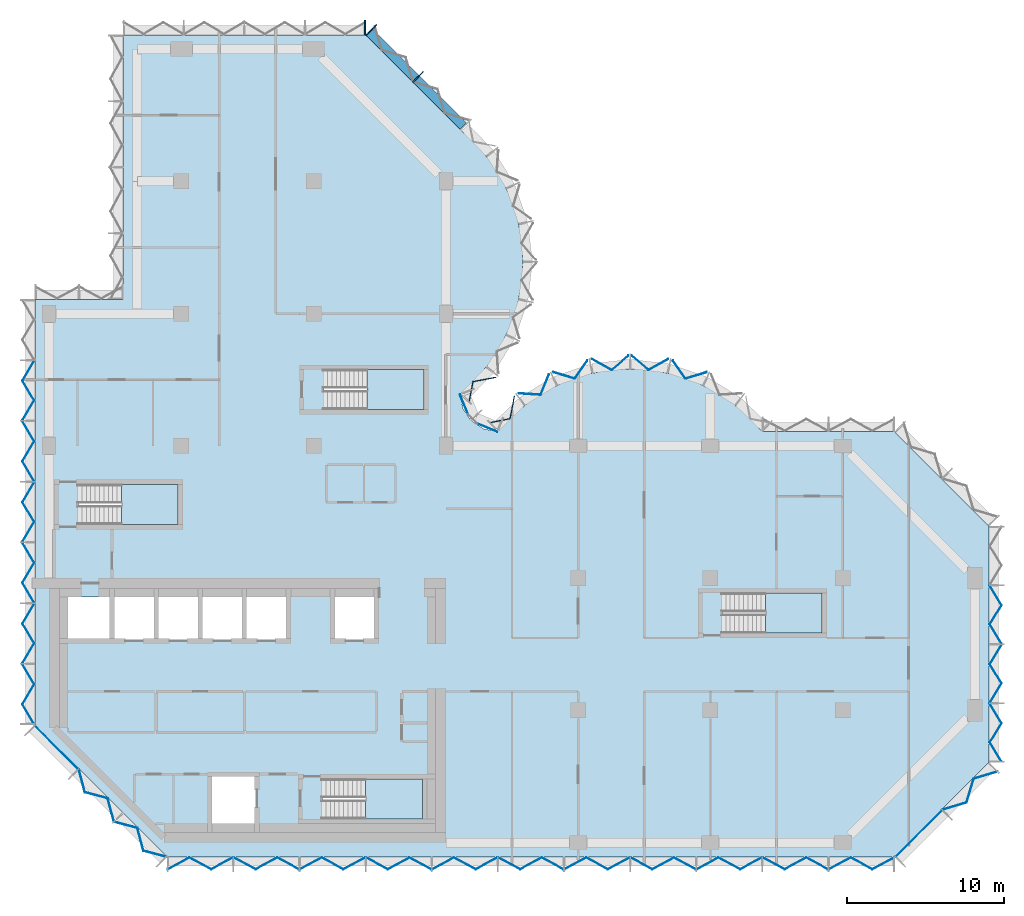
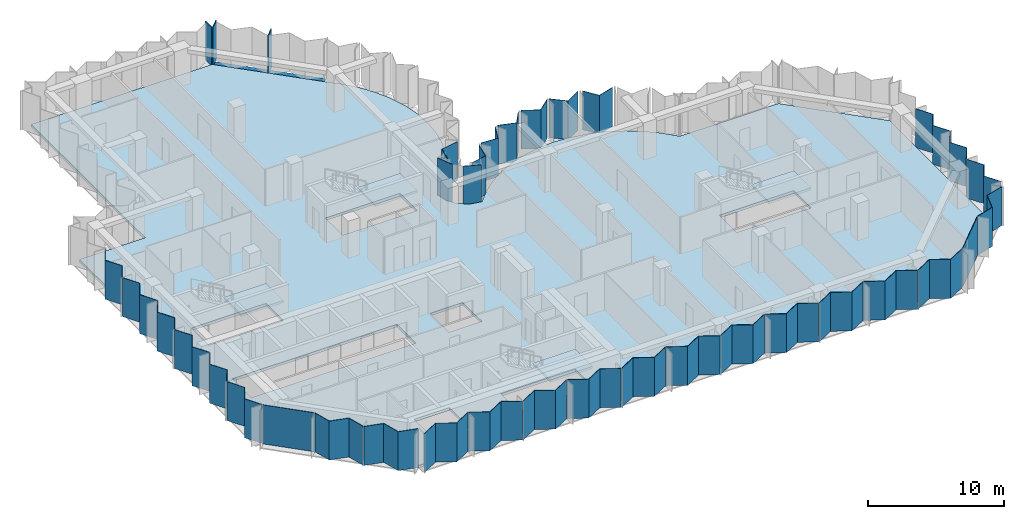
# One storey, part 3 of 10: 34 plates, 5 slabs, 4 members, 14 elements without a shape of their own.
"""IFC4 building model written with IfcOpenShell, lengths in metres."""

from ifc_helpers import new_model, si_unit, direction, frame, origin, origin_2d, place, context, subcontext, project, spatial, polyline, rectangle, outline, extrude, material, layer, layer_set, material_profile, profile_set, type_object, element, aggregate, save


model = new_model("IFC4")

# Units and contexts
model_context = context("Model", 3, precision=1e-05, world=origin(), true_north=direction((0.0, 1.0)))
body_context = subcontext(model_context, "Body", "Model", "MODEL_VIEW")
ifc_project = project(units=[si_unit("LENGTHUNIT", "METRE"), si_unit("AREAUNIT", "SQUARE_METRE"), si_unit("VOLUMEUNIT", "CUBIC_METRE"), si_unit("PLANEANGLEUNIT", "RADIAN"), si_unit("MASSUNIT", "GRAM", prefix="KILO")], contexts=[model_context])

# Site, building, storey
site_placement = place(None, origin())
site = spatial("IfcSite", under=ifc_project, at=site_placement, CompositionType="ELEMENT")
building_placement = place(site_placement, origin())
building = spatial("IfcBuilding", under=site, at=building_placement, Name="Brevane Broadcast Tower", CompositionType="ELEMENT")
storey_placement = place(building_placement, frame((0.0, 0.0, 170.39990234375)))
storey = spatial("IfcBuildingStorey", under=building, at=storey_placement, Name="L42", CompositionType="ELEMENT", Elevation=170.39990234375)

# Curtain wall, members
ifc_material_1 = material(Name="Aluminium 6063-T6 bronze anodised", Category="aluminium")
curtain_wall_type = type_object("IfcCurtainWallType", Name="CW-1 curtain wall", PredefinedType="NOTDEFINED", material=ifc_material_1)
curtain_wall_1_placement = place(storey_placement, origin())
curtain_wall_1 = element("IfcCurtainWall", 1, at=curtain_wall_1_placement, inside=storey, type_object=curtain_wall_type, Name="CW-1 typical tilted unit L42 north arm north-east chamfer", PredefinedType="NOTDEFINED")
ifc_material_profile_1 = material_profile(ifc_material_1, rectangle(XDim=0.949951171875, YDim=0.070068359375, at=origin_2d()), Name="RECT 70x950")
ifc_profile_set_1 = profile_set([ifc_material_profile_1], Name="Aluminium 6063-T6 bronze anodised")
member_type_1 = type_object("IfcMemberType", Name="CW-1 mullion 70x950", PredefinedType="MULLION", material=ifc_profile_set_1)
member_1_placement = place(storey_placement, frame((23.435791015625, 48.635986328125, -0.14990234375), z_axis=(0.0, 0.0, 1.0), x_axis=(-0.707106781187, -0.707106781187, 0.0)))
member_1 = element("IfcMember", 2, at=member_1_placement, type_object=member_type_1, Name="CW-1 mullion", PredefinedType="MULLION", context=body_context, shape_type="SweptSolid", body=[
    extrude(rectangle(XDim=0.949951171875, YDim=0.070068359375, at=origin_2d()), origin(), (0.0, 0.0, 1.0), 3.5),
])
member_2_placement = place(storey_placement, frame((20.460693359375, 51.611083984375, -0.14990234375), z_axis=(0.0, 0.0, 1.0), x_axis=(-0.707106781187, -0.707106781187, 0.0)))
member_2 = element("IfcMember", 3, at=member_2_placement, type_object=member_type_1, Name="CW-1 mullion", PredefinedType="MULLION", context=body_context, shape_type="SweptSolid", body=[
    extrude(rectangle(XDim=0.949951171875, YDim=0.070068359375, at=origin_2d()), origin(), (0.0, 0.0, 1.0), 3.5),
])

# Curtain wall, member
curtain_wall_2_placement = place(storey_placement, origin())
curtain_wall_2 = element("IfcCurtainWall", 4, at=curtain_wall_2_placement, inside=storey, type_object=curtain_wall_type, Name="CW-1 typical tilted unit L42 north end", PredefinedType="NOTDEFINED")
member_3_placement = place(storey_placement, frame((20.06494140625, 51.77490234375, -0.14990234375), z_axis=(0.0, 0.0, 1.0), x_axis=(0.0, -1.0, 0.0)))
member_3 = element("IfcMember", 5, at=member_3_placement, type_object=member_type_1, Name="CW-1 mullion", PredefinedType="MULLION", context=body_context, shape_type="SweptSolid", body=[
    extrude(rectangle(XDim=0.949951171875, YDim=0.070068359375, at=origin_2d()), origin(), (0.0, 0.0, 1.0), 3.5),
])
aggregate(curtain_wall_2, [member_3])

# Member
ifc_material_profile_2 = material_profile(ifc_material_1, rectangle(XDim=0.60009765625, YDim=0.10009765625, at=origin_2d()), Name="RECT 100x600")
ifc_profile_set_2 = profile_set([ifc_material_profile_2], Name="Aluminium 6063-T6 bronze anodised")
member_type_2 = type_object("IfcMemberType", Name="CW-1 transom 100x600", PredefinedType="USERDEFINED", material=ifc_profile_set_2)
member_4_placement = place(storey_placement, frame((26.31201171875, 45.51220703125, -0.199951171875), z_axis=(-0.707106781187, 0.707106781187, 0.0), x_axis=(-0.707106781187, -0.707106781187, 0.0)))
member_4 = element("IfcMember", 6, at=member_4_placement, type_object=member_type_2, Name="CW-1 transom", ObjectType="TRANSOM", PredefinedType="USERDEFINED", context=body_context, shape_type="SweptSolid", body=[
    extrude(rectangle(XDim=0.60009765625, YDim=0.10009765625, at=origin_2d()), origin(), (0.0, 0.0, 1.0), 8.4853515625),
])

aggregate(curtain_wall_1, [member_1, member_2, member_4])

# Curtain wall, plates
curtain_wall_3_placement = place(storey_placement, origin())
curtain_wall_3 = element("IfcCurtainWall", 7, at=curtain_wall_3_placement, inside=storey, type_object=curtain_wall_type, Name="CW-1 typical tilted unit L42 south face", PredefinedType="NOTDEFINED")
ifc_material_2 = material(Name="Laminated glass bronze-tinted", Category="glass")
ifc_layer_1 = layer(ifc_material_2, 0.0400390625)
ifc_layer_set_1 = layer_set([ifc_layer_1], Name="CW tall glass panel 40")
plate_type = type_object("IfcPlateType", Name="CW tall glass panel 40", PredefinedType="CURTAIN_PANEL", material=ifc_layer_set_1)
plate_1_placement = place(storey_placement, frame((0.0, 0.0, -0.14990234375)))
plate_1 = element("IfcPlate", 8, at=plate_1_placement, type_object=plate_type, Name="CW-1 glass panel", PredefinedType="CURTAIN_PANEL", context=body_context, shape_type="SweptSolid", body=[
    extrude(outline(polyline([(7.534912109375, -1.671630859375), (7.534912109375, -1.717041015625), (8.91162109375, -0.97265625), (10.288330078125, -1.717041015625), (11.6650390625, -0.97265625), (11.6650390625, -0.92724609375), (10.288330078125, -1.671630859375), (8.91162109375, -0.92724609375), (7.534912109375, -1.671630859375)])), origin(), (0.0, 0.0, 1.0), 3.5),
])
plate_2_placement = place(storey_placement, frame((0.0, 0.0, -0.14990234375)))
plate_2 = element("IfcPlate", 9, at=plate_2_placement, type_object=plate_type, Name="CW-1 glass panel", PredefinedType="CURTAIN_PANEL", context=body_context, shape_type="SweptSolid", body=[
    extrude(outline(polyline([(11.735107421875, -0.92724609375), (11.735107421875, -0.97265625), (13.11181640625, -1.717041015625), (14.48828125, -0.97265625), (15.864990234375, -1.717041015625), (15.864990234375, -1.671630859375), (14.48828125, -0.92724609375), (13.11181640625, -1.671630859375), (11.735107421875, -0.92724609375)])), origin(), (0.0, 0.0, 1.0), 3.5),
])
plate_3_placement = place(storey_placement, frame((0.0, 0.0, -0.14990234375)))
plate_3 = element("IfcPlate", 10, at=plate_3_placement, type_object=plate_type, Name="CW-1 glass panel", PredefinedType="CURTAIN_PANEL", context=body_context, shape_type="SweptSolid", body=[
    extrude(outline(polyline([(15.93505859375, -1.671630859375), (15.93505859375, -1.717041015625), (17.311767578125, -0.97265625), (18.688232421875, -1.717041015625), (20.06494140625, -0.97265625), (20.06494140625, -0.92724609375), (18.688232421875, -1.671630859375), (17.311767578125, -0.92724609375), (15.93505859375, -1.671630859375)])), origin(), (0.0, 0.0, 1.0), 3.5),
])
plate_4_placement = place(storey_placement, frame((0.0, 0.0, -0.14990234375)))
plate_4 = element("IfcPlate", 11, at=plate_4_placement, type_object=plate_type, Name="CW-1 glass panel", PredefinedType="CURTAIN_PANEL", context=body_context, shape_type="SweptSolid", body=[
    extrude(outline(polyline([(20.135009765625, -0.92724609375), (20.135009765625, -0.97265625), (21.51171875, -1.717041015625), (22.88818359375, -0.97265625), (24.264892578125, -1.717041015625), (24.264892578125, -1.671630859375), (22.88818359375, -0.92724609375), (21.51171875, -1.671630859375), (20.135009765625, -0.92724609375)])), origin(), (0.0, 0.0, 1.0), 3.5),
])
plate_5_placement = place(storey_placement, frame((0.0, 0.0, -0.14990234375)))
plate_5 = element("IfcPlate", 12, at=plate_5_placement, type_object=plate_type, Name="CW-1 glass panel", PredefinedType="CURTAIN_PANEL", context=body_context, shape_type="SweptSolid", body=[
    extrude(outline(polyline([(24.3349609375, -1.671630859375), (24.3349609375, -1.717041015625), (25.711669921875, -0.97265625), (27.08837890625, -1.717041015625), (28.465087890625, -0.97265625), (28.465087890625, -0.92724609375), (27.08837890625, -1.671630859375), (25.711669921875, -0.92724609375), (24.3349609375, -1.671630859375)])), origin(), (0.0, 0.0, 1.0), 3.5),
])
plate_6_placement = place(storey_placement, frame((0.0, 0.0, -0.14990234375)))
plate_6 = element("IfcPlate", 13, at=plate_6_placement, type_object=plate_type, Name="CW-1 glass panel", PredefinedType="CURTAIN_PANEL", context=body_context, shape_type="SweptSolid", body=[
    extrude(outline(polyline([(28.534912109375, -0.92724609375), (28.534912109375, -0.97265625), (29.91162109375, -1.717041015625), (31.288330078125, -0.97265625), (32.6650390625, -1.717041015625), (32.6650390625, -1.671630859375), (31.288330078125, -0.92724609375), (29.91162109375, -1.671630859375), (28.534912109375, -0.92724609375)])), origin(), (0.0, 0.0, 1.0), 3.5),
])
plate_7_placement = place(storey_placement, frame((0.0, 0.0, -0.14990234375)))
plate_7 = element("IfcPlate", 14, at=plate_7_placement, type_object=plate_type, Name="CW-1 glass panel", PredefinedType="CURTAIN_PANEL", context=body_context, shape_type="SweptSolid", body=[
    extrude(outline(polyline([(32.735107421875, -1.671630859375), (32.735107421875, -1.717041015625), (34.11181640625, -0.97265625), (35.48828125, -1.717041015625), (36.864990234375, -0.97265625), (36.864990234375, -0.92724609375), (35.48828125, -1.671630859375), (34.11181640625, -0.92724609375), (32.735107421875, -1.671630859375)])), origin(), (0.0, 0.0, 1.0), 3.5),
])
plate_8_placement = place(storey_placement, frame((0.0, 0.0, -0.14990234375)))
plate_8 = element("IfcPlate", 15, at=plate_8_placement, type_object=plate_type, Name="CW-1 glass panel", PredefinedType="CURTAIN_PANEL", context=body_context, shape_type="SweptSolid", body=[
    extrude(outline(polyline([(36.93505859375, -0.92724609375), (36.93505859375, -0.97265625), (38.311767578125, -1.717041015625), (39.688232421875, -0.97265625), (41.06494140625, -1.717041015625), (41.06494140625, -1.671630859375), (39.688232421875, -0.92724609375), (38.311767578125, -1.671630859375), (36.93505859375, -0.92724609375)])), origin(), (0.0, 0.0, 1.0), 3.5),
])
plate_9_placement = place(storey_placement, frame((0.0, 0.0, -0.14990234375)))
plate_9 = element("IfcPlate", 16, at=plate_9_placement, type_object=plate_type, Name="CW-1 glass panel", PredefinedType="CURTAIN_PANEL", context=body_context, shape_type="SweptSolid", body=[
    extrude(outline(polyline([(41.135009765625, -1.671630859375), (41.135009765625, -1.717041015625), (42.51171875, -0.97265625), (43.88818359375, -1.717041015625), (45.264892578125, -0.97265625), (45.264892578125, -0.92724609375), (43.88818359375, -1.671630859375), (42.51171875, -0.92724609375), (41.135009765625, -1.671630859375)])), origin(), (0.0, 0.0, 1.0), 3.5),
])
plate_10_placement = place(storey_placement, frame((0.0, 0.0, -0.14990234375)))
plate_10 = element("IfcPlate", 17, at=plate_10_placement, type_object=plate_type, Name="CW-1 glass panel", PredefinedType="CURTAIN_PANEL", context=body_context, shape_type="SweptSolid", body=[
    extrude(outline(polyline([(45.3349609375, -0.92724609375), (45.3349609375, -0.97265625), (46.711669921875, -1.717041015625), (48.08837890625, -0.97265625), (49.465087890625, -1.717041015625), (49.465087890625, -1.671630859375), (48.08837890625, -0.92724609375), (46.711669921875, -1.671630859375), (45.3349609375, -0.92724609375)])), origin(), (0.0, 0.0, 1.0), 3.5),
])
plate_11_placement = place(storey_placement, frame((0.0, 0.0, -0.14990234375)))
plate_11 = element("IfcPlate", 18, at=plate_11_placement, type_object=plate_type, Name="CW-1 glass panel", PredefinedType="CURTAIN_PANEL", context=body_context, shape_type="SweptSolid", body=[
    extrude(outline(polyline([(49.534912109375, -1.671630859375), (49.534912109375, -1.717041015625), (50.91162109375, -0.97265625), (52.288330078125, -1.717041015625), (53.6650390625, -0.97265625), (53.6650390625, -0.92724609375), (52.288330078125, -1.671630859375), (50.91162109375, -0.92724609375), (49.534912109375, -1.671630859375)])), origin(), (0.0, 0.0, 1.0), 3.5),
])
aggregate(curtain_wall_3, [plate_1, plate_2, plate_3, plate_4, plate_5, plate_6, plate_7, plate_8, plate_9, plate_10, plate_11])

curtain_wall_4_placement = place(storey_placement, origin())
curtain_wall_4 = element("IfcCurtainWall", 19, at=curtain_wall_4_placement, inside=storey, type_object=curtain_wall_type, Name="CW-1 typical tilted unit L42 south-east chamfer", PredefinedType="NOTDEFINED")
plate_12_placement = place(storey_placement, frame((0.0, 0.0, -0.14990234375)))
plate_12 = element("IfcPlate", 20, at=plate_12_placement, type_object=plate_type, Name="CW-1 glass panel", PredefinedType="CURTAIN_PANEL", context=body_context, shape_type="SweptSolid", body=[
    extrude(outline(polyline([(53.74609375, -0.896484375), (56.696533203125, 2.053955078125), (56.724609375, 2.02587890625), (53.774169921875, -0.9248046875), (53.74609375, -0.896484375)])), origin(), (0.0, 0.0, 1.0), 3.5),
])
plate_13_placement = place(storey_placement, frame((0.0, 0.0, -0.14990234375)))
plate_13 = element("IfcPlate", 21, at=plate_13_placement, type_object=plate_type, Name="CW-1 glass panel", PredefinedType="CURTAIN_PANEL", context=body_context, shape_type="SweptSolid", body=[
    extrude(outline(polyline([(56.744140625, 2.10546875), (56.776123046875, 2.073486328125), (58.285888671875, 2.530517578125), (58.7431640625, 4.040283203125), (60.2529296875, 4.49755859375), (60.220947265625, 4.529541015625), (58.711181640625, 4.072509765625), (58.25390625, 2.5625), (56.744140625, 2.10546875)])), origin(), (0.0, 0.0, 1.0), 3.5),
])
aggregate(curtain_wall_4, [plate_12, plate_13])

curtain_wall_5_placement = place(storey_placement, origin())
curtain_wall_5 = element("IfcCurtainWall", 22, at=curtain_wall_5_placement, inside=storey, type_object=curtain_wall_type, Name="CW-1 typical tilted unit L42 east end", PredefinedType="NOTDEFINED")
plate_14_placement = place(storey_placement, frame((0.0, 0.0, -0.14990234375)))
plate_14 = element("IfcPlate", 23, at=plate_14_placement, type_object=plate_type, Name="CW-1 glass panel", PredefinedType="CURTAIN_PANEL", context=body_context, shape_type="SweptSolid", body=[
    extrude(outline(polyline([(60.470947265625, 5.135009765625), (60.517822265625, 5.135009765625), (59.7734375, 6.36181640625), (60.517822265625, 7.58837890625), (59.7734375, 8.81494140625), (59.7265625, 8.81494140625), (60.470947265625, 7.58837890625), (59.7265625, 6.36181640625), (60.470947265625, 5.135009765625)])), origin(), (0.0, 0.0, 1.0), 3.5),
])
plate_15_placement = place(storey_placement, frame((0.0, 0.0, -0.14990234375)))
plate_15 = element("IfcPlate", 24, at=plate_15_placement, type_object=plate_type, Name="CW-1 glass panel", PredefinedType="CURTAIN_PANEL", context=body_context, shape_type="SweptSolid", body=[
    extrude(outline(polyline([(59.7265625, 8.885009765625), (59.7734375, 8.885009765625), (60.517822265625, 10.11181640625), (59.7734375, 11.33837890625), (60.517822265625, 12.56494140625), (60.470947265625, 12.56494140625), (59.7265625, 11.33837890625), (60.470947265625, 10.11181640625), (59.7265625, 8.885009765625)])), origin(), (0.0, 0.0, 1.0), 3.5),
])
plate_16_placement = place(storey_placement, frame((0.0, 0.0, -0.14990234375)))
plate_16 = element("IfcPlate", 25, at=plate_16_placement, type_object=plate_type, Name="CW-1 glass panel", PredefinedType="CURTAIN_PANEL", context=body_context, shape_type="SweptSolid", body=[
    extrude(outline(polyline([(60.470947265625, 12.635009765625), (60.517822265625, 12.635009765625), (59.7734375, 13.86181640625), (60.517822265625, 15.08837890625), (59.7734375, 16.31494140625), (59.7265625, 16.31494140625), (60.470947265625, 15.08837890625), (59.7265625, 13.86181640625), (60.470947265625, 12.635009765625)])), origin(), (0.0, 0.0, 1.0), 3.5),
])
aggregate(curtain_wall_5, [plate_14, plate_15, plate_16])

curtain_wall_6_placement = place(storey_placement, origin())
curtain_wall_6 = element("IfcCurtainWall", 26, at=curtain_wall_6_placement, inside=storey, type_object=curtain_wall_type, Name="CW-1 typical tilted unit L42 east bow", PredefinedType="NOTDEFINED")
plate_17_placement = place(storey_placement, frame((0.0, 0.0, -0.14990234375)))
plate_17 = element("IfcPlate", 27, at=plate_17_placement, type_object=plate_type, Name="CW-1 glass panel", PredefinedType="CURTAIN_PANEL", context=body_context, shape_type="SweptSolid", body=[
    extrude(outline(polyline([(41.75537109375, 29.851806640625), (41.778564453125, 29.900634765625), (40.435546875, 29.494384765625), (39.6328125, 30.622802734375), (39.62060546875, 30.57080078125), (40.41943359375, 29.44775390625), (41.75537109375, 29.851806640625)])), origin(), (0.0, 0.0, 1.0), 3.5),
])
plate_18_placement = place(storey_placement, frame((0.0, 0.0, -0.14990234375)))
plate_18 = element("IfcPlate", 28, at=plate_18_placement, type_object=plate_type, Name="CW-1 glass panel", PredefinedType="CURTAIN_PANEL", context=body_context, shape_type="SweptSolid", body=[
    extrude(outline(polyline([(39.31640625, 30.68798828125), (39.328369140625, 30.740478515625), (38.069580078125, 30.036376953125), (37.008056640625, 30.94921875), (37.008056640625, 30.896484375), (38.064697265625, 29.98779296875), (39.31640625, 30.68798828125)])), origin(), (0.0, 0.0, 1.0), 3.5),
])
plate_19_placement = place(storey_placement, frame((0.0, 0.0, -0.14990234375)))
plate_19 = element("IfcPlate", 29, at=plate_19_placement, type_object=plate_type, Name="CW-1 glass panel", PredefinedType="CURTAIN_PANEL", context=body_context, shape_type="SweptSolid", body=[
    extrude(outline(polyline([(36.7919921875, 30.896484375), (36.7919921875, 30.94921875), (35.730224609375, 30.036376953125), (34.4716796875, 30.740478515625), (34.483642578125, 30.68798828125), (35.735107421875, 29.98779296875), (36.7919921875, 30.896484375)])), origin(), (0.0, 0.0, 1.0), 3.5),
])
plate_20_placement = place(storey_placement, frame((0.0, 0.0, -0.14990234375)))
plate_20 = element("IfcPlate", 30, at=plate_20_placement, type_object=plate_type, Name="CW-1 glass panel", PredefinedType="CURTAIN_PANEL", context=body_context, shape_type="SweptSolid", body=[
    extrude(outline(polyline([(34.17919921875, 30.57080078125), (34.167236328125, 30.622802734375), (33.364501953125, 29.494384765625), (32.021484375, 29.900634765625), (32.044677734375, 29.851806640625), (33.380615234375, 29.44775390625), (34.17919921875, 30.57080078125)])), origin(), (0.0, 0.0, 1.0), 3.5),
])
plate_21_placement = place(storey_placement, frame((0.0, 0.0, -0.14990234375)))
plate_21 = element("IfcPlate", 31, at=plate_21_placement, type_object=plate_type, Name="CW-1 glass panel", PredefinedType="CURTAIN_PANEL", context=body_context, shape_type="SweptSolid", body=[
    extrude(outline(polyline([(31.753173828125, 29.712890625), (31.729736328125, 29.76171875), (31.198486328125, 28.462890625), (29.816650390625, 28.551025390625), (29.849609375, 28.5087890625), (31.224609375, 28.42138671875), (31.753173828125, 29.712890625)])), origin(), (0.0, 0.0, 1.0), 3.5),
])
plate_22_placement = place(storey_placement, frame((0.0, 0.0, -0.14990234375)))
plate_22 = element("IfcPlate", 32, at=plate_22_placement, type_object=plate_type, Name="CW-1 glass panel", PredefinedType="CURTAIN_PANEL", context=body_context, shape_type="SweptSolid", body=[
    extrude(outline(polyline([(29.568603515625, 28.34375), (29.535888671875, 28.3857421875), (29.2607421875, 26.9423828125), (27.975341796875, 26.690185546875), (28.008544921875, 26.656005859375), (29.294921875, 26.908203125), (29.568603515625, 28.34375)])), origin(), (0.0, 0.0, 1.0), 3.5),
])
aggregate(curtain_wall_6, [plate_17, plate_18, plate_19, plate_20, plate_21, plate_22])

curtain_wall_7_placement = place(storey_placement, origin())
curtain_wall_7 = element("IfcCurtainWall", 33, at=curtain_wall_7_placement, inside=storey, type_object=curtain_wall_type, Name="CW-1 typical tilted unit L42 inner corner", PredefinedType="NOTDEFINED")
plate_23_placement = place(storey_placement, frame((0.0, 0.0, -0.14990234375)))
plate_23 = element("IfcPlate", 34, at=plate_23_placement, type_object=plate_type, Name="CW-1 glass panel", PredefinedType="CURTAIN_PANEL", context=body_context, shape_type="SweptSolid", body=[
    extrude(outline(polyline([(28.45166015625, 26.07470703125), (28.466796875, 26.111572265625), (27.2021484375, 26.635498046875), (27.17138671875, 26.60498046875), (28.45166015625, 26.07470703125)])), origin(), (0.0, 0.0, 1.0), 3.5),
])
plate_24_placement = place(storey_placement, frame((0.0, 0.0, -0.14990234375)))
plate_24 = element("IfcPlate", 35, at=plate_24_placement, type_object=plate_type, Name="CW-1 glass panel", PredefinedType="CURTAIN_PANEL", context=body_context, shape_type="SweptSolid", body=[
    extrude(outline(polyline([(26.60498046875, 27.17138671875), (26.635498046875, 27.2021484375), (26.111572265625, 28.466796875), (26.07470703125, 28.45166015625), (26.60498046875, 27.17138671875)])), origin(), (0.0, 0.0, 1.0), 3.5),
])
aggregate(curtain_wall_7, [plate_23, plate_24])

# Curtain wall, plate
curtain_wall_8_placement = place(storey_placement, origin())
curtain_wall_8 = element("IfcCurtainWall", 36, at=curtain_wall_8_placement, inside=storey, type_object=curtain_wall_type, Name="CW-1 typical tilted unit L42 north bow", PredefinedType="NOTDEFINED")
plate_25_placement = place(storey_placement, frame((0.0, 0.0, -0.14990234375)))
plate_25 = element("IfcPlate", 37, at=plate_25_placement, type_object=plate_type, Name="CW-1 glass panel", PredefinedType="CURTAIN_PANEL", context=body_context, shape_type="SweptSolid", body=[
    extrude(outline(polyline([(26.656005859375, 28.008544921875), (26.690185546875, 27.975341796875), (26.9423828125, 29.2607421875), (28.3857421875, 29.535888671875), (28.34375, 29.568603515625), (26.908203125, 29.294921875), (26.656005859375, 28.008544921875)])), origin(), (0.0, 0.0, 1.0), 3.5),
])
aggregate(curtain_wall_8, [plate_25])

# Curtain wall, plates
curtain_wall_9_placement = place(storey_placement, origin())
curtain_wall_9 = element("IfcCurtainWall", 38, at=curtain_wall_9_placement, inside=storey, type_object=curtain_wall_type, Name="CW-1 typical tilted unit L42 west face", PredefinedType="NOTDEFINED")
plate_26_placement = place(storey_placement, frame((0.0, 0.0, -0.14990234375)))
plate_26 = element("IfcPlate", 39, at=plate_26_placement, type_object=plate_type, Name="CW-1 glass panel", PredefinedType="CURTAIN_PANEL", context=body_context, shape_type="SweptSolid", body=[
    extrude(outline(polyline([(-0.9267578125, 30.60791015625), (-0.97314453125, 30.60791015625), (-1.717529296875, 29.345458984375), (-0.97314453125, 28.0830078125), (-1.717529296875, 26.82080078125), (-1.671142578125, 26.82080078125), (-0.9267578125, 28.0830078125), (-1.671142578125, 29.345458984375), (-0.9267578125, 30.60791015625)])), origin(), (0.0, 0.0, 1.0), 3.5),
])
plate_27_placement = place(storey_placement, frame((0.0, 0.0, -0.14990234375)))
plate_27 = element("IfcPlate", 40, at=plate_27_placement, type_object=plate_type, Name="CW-1 glass panel", PredefinedType="CURTAIN_PANEL", context=body_context, shape_type="SweptSolid", body=[
    extrude(outline(polyline([(-1.671142578125, 26.750732421875), (-1.717529296875, 26.750732421875), (-0.97314453125, 25.48828125), (-1.717529296875, 24.22607421875), (-0.97314453125, 22.963623046875), (-0.9267578125, 22.963623046875), (-1.671142578125, 24.22607421875), (-0.9267578125, 25.48828125), (-1.671142578125, 26.750732421875)])), origin(), (0.0, 0.0, 1.0), 3.5),
])
plate_28_placement = place(storey_placement, frame((0.0, 0.0, -0.14990234375)))
plate_28 = element("IfcPlate", 41, at=plate_28_placement, type_object=plate_type, Name="CW-1 glass panel", PredefinedType="CURTAIN_PANEL", context=body_context, shape_type="SweptSolid", body=[
    extrude(outline(polyline([(-0.9267578125, 22.8935546875), (-0.97314453125, 22.8935546875), (-1.717529296875, 21.631103515625), (-0.97314453125, 20.368896484375), (-1.717529296875, 19.1064453125), (-1.671142578125, 19.1064453125), (-0.9267578125, 20.368896484375), (-1.671142578125, 21.631103515625), (-0.9267578125, 22.8935546875)])), origin(), (0.0, 0.0, 1.0), 3.5),
])
plate_29_placement = place(storey_placement, frame((0.0, 0.0, -0.14990234375)))
plate_29 = element("IfcPlate", 42, at=plate_29_placement, type_object=plate_type, Name="CW-1 glass panel", PredefinedType="CURTAIN_PANEL", context=body_context, shape_type="SweptSolid", body=[
    extrude(outline(polyline([(-1.671142578125, 19.036376953125), (-1.717529296875, 19.036376953125), (-0.97314453125, 17.77392578125), (-1.717529296875, 16.51171875), (-0.97314453125, 15.249267578125), (-0.9267578125, 15.249267578125), (-1.671142578125, 16.51171875), (-0.9267578125, 17.77392578125), (-1.671142578125, 19.036376953125)])), origin(), (0.0, 0.0, 1.0), 3.5),
])
plate_30_placement = place(storey_placement, frame((0.0, 0.0, -0.14990234375)))
plate_30 = element("IfcPlate", 43, at=plate_30_placement, type_object=plate_type, Name="CW-1 glass panel", PredefinedType="CURTAIN_PANEL", context=body_context, shape_type="SweptSolid", body=[
    extrude(outline(polyline([(-0.9267578125, 15.17919921875), (-0.97314453125, 15.17919921875), (-1.717529296875, 13.9169921875), (-0.97314453125, 12.654541015625), (-1.717529296875, 11.39208984375), (-1.671142578125, 11.39208984375), (-0.9267578125, 12.654541015625), (-1.671142578125, 13.9169921875), (-0.9267578125, 15.17919921875)])), origin(), (0.0, 0.0, 1.0), 3.5),
])
plate_31_placement = place(storey_placement, frame((0.0, 0.0, -0.14990234375)))
plate_31 = element("IfcPlate", 44, at=plate_31_placement, type_object=plate_type, Name="CW-1 glass panel", PredefinedType="CURTAIN_PANEL", context=body_context, shape_type="SweptSolid", body=[
    extrude(outline(polyline([(-1.671142578125, 11.322021484375), (-1.717529296875, 11.322021484375), (-0.97314453125, 10.059814453125), (-1.717529296875, 8.79736328125), (-0.97314453125, 7.534912109375), (-0.9267578125, 7.534912109375), (-1.671142578125, 8.79736328125), (-0.9267578125, 10.059814453125), (-1.671142578125, 11.322021484375)])), origin(), (0.0, 0.0, 1.0), 3.5),
])
aggregate(curtain_wall_9, [plate_26, plate_27, plate_28, plate_29, plate_30, plate_31])

curtain_wall_10_placement = place(storey_placement, origin())
curtain_wall_10 = element("IfcCurtainWall", 45, at=curtain_wall_10_placement, inside=storey, type_object=curtain_wall_type, Name="CW-1 typical tilted unit L42 south-west chamfer", PredefinedType="NOTDEFINED")
plate_32_placement = place(storey_placement, frame((0.0, 0.0, -0.14990234375)))
plate_32 = element("IfcPlate", 46, at=plate_32_placement, type_object=plate_type, Name="CW-1 glass panel", PredefinedType="CURTAIN_PANEL", context=body_context, shape_type="SweptSolid", body=[
    extrude(outline(polyline([(-0.896484375, 7.4541015625), (1.85400390625, 4.70361328125), (1.82568359375, 4.67529296875), (-0.9248046875, 7.42578125), (-0.896484375, 7.4541015625)])), origin(), (0.0, 0.0, 1.0), 3.5),
])
plate_33_placement = place(storey_placement, frame((0.0, 0.0, -0.14990234375)))
plate_33 = element("IfcPlate", 47, at=plate_33_placement, type_object=plate_type, Name="CW-1 glass panel", PredefinedType="CURTAIN_PANEL", context=body_context, shape_type="SweptSolid", body=[
    extrude(outline(polyline([(1.90576171875, 4.65625), (1.873046875, 4.62353515625), (2.263671875, 3.180419921875), (3.706787109375, 2.789794921875), (4.09716796875, 1.3466796875), (4.1298828125, 1.37939453125), (3.739501953125, 2.822509765625), (2.296142578125, 3.212890625), (1.90576171875, 4.65625)])), origin(), (0.0, 0.0, 1.0), 3.5),
])
plate_34_placement = place(storey_placement, frame((0.0, 0.0, -0.14990234375)))
plate_34 = element("IfcPlate", 48, at=plate_34_placement, type_object=plate_type, Name="CW-1 glass panel", PredefinedType="CURTAIN_PANEL", context=body_context, shape_type="SweptSolid", body=[
    extrude(outline(polyline([(4.17919921875, 1.329833984375), (4.146728515625, 1.297119140625), (5.58984375, 0.90673828125), (5.98046875, -0.536376953125), (7.423583984375, -0.927001953125), (7.456298828125, -0.894287109375), (6.012939453125, -0.50390625), (5.62255859375, 0.939453125), (4.17919921875, 1.329833984375)])), origin(), (0.0, 0.0, 1.0), 3.5),
])
aggregate(curtain_wall_10, [plate_32, plate_33, plate_34])

# Stair, slab
ifc_material_3 = material(Name="Concrete C50/60", Category="concrete")
stair_type = type_object("IfcStairType", Name="Exit stair 22 risers", PredefinedType="HALF_TURN_STAIR", material=ifc_material_3)
stair_1_placement = place(storey_placement, origin())
stair_1 = element("IfcStair", 49, at=stair_1_placement, inside=storey, type_object=stair_type, Name="L42 Exit stair ST-1", PredefinedType="HALF_TURN_STAIR")
ifc_layer_2 = layer(ifc_material_3, 0.199951171875)
ifc_layer_set_2 = layer_set([ifc_layer_2], Name="Exit stair landing")
slab_type_1 = type_object("IfcSlabType", Name="Exit stair landing", PredefinedType="LANDING", material=ifc_layer_set_2)
slab_1_placement = place(storey_placement, frame((0.0, 0.0, 1.60009765625)))
slab_1 = element("IfcSlab", 50, at=slab_1_placement, type_object=slab_type_1, Name="ST-1 landing 1", PredefinedType="LANDING", context=body_context, shape_type="SweptSolid", body=[
    extrude(outline(polyline([(4.60009765625, 20.199951171875), (8.199951171875, 20.199951171875), (8.199951171875, 22.75), (4.60009765625, 22.75), (4.60009765625, 20.199951171875)])), origin(), (0.0, 0.0, 1.0), 0.199951171875),
])
aggregate(stair_1, [slab_1])

stair_2_placement = place(storey_placement, origin())
stair_2 = element("IfcStair", 51, at=stair_2_placement, inside=storey, type_object=stair_type, Name="L42 Exit stair ST-2", PredefinedType="HALF_TURN_STAIR")
slab_2_placement = place(storey_placement, frame((0.0, 0.0, 1.60009765625)))
slab_2 = element("IfcSlab", 52, at=slab_2_placement, type_object=slab_type_1, Name="ST-2 landing 1", PredefinedType="LANDING", context=body_context, shape_type="SweptSolid", body=[
    extrude(outline(polyline([(20.10009765625, 1.5), (23.699951171875, 1.5), (23.699951171875, 4.050048828125), (20.10009765625, 4.050048828125), (20.10009765625, 1.5)])), origin(), (0.0, 0.0, 1.0), 0.199951171875),
])
aggregate(stair_2, [slab_2])

stair_3_placement = place(storey_placement, origin())
stair_3 = element("IfcStair", 53, at=stair_3_placement, inside=storey, type_object=stair_type, Name="L42 Exit stair ST-3", PredefinedType="HALF_TURN_STAIR")
slab_3_placement = place(storey_placement, frame((0.0, 0.0, 1.60009765625)))
slab_3 = element("IfcSlab", 54, at=slab_3_placement, type_object=slab_type_1, Name="ST-3 landing 1", PredefinedType="LANDING", context=body_context, shape_type="SweptSolid", body=[
    extrude(outline(polyline([(20.199951171875, 27.5), (23.800048828125, 27.5), (23.800048828125, 30.050048828125), (20.199951171875, 30.050048828125), (20.199951171875, 27.5)])), origin(), (0.0, 0.0, 1.0), 0.199951171875),
])
aggregate(stair_3, [slab_3])

stair_4_placement = place(storey_placement, origin())
stair_4 = element("IfcStair", 55, at=stair_4_placement, inside=storey, type_object=stair_type, Name="L42 Exit stair ST-4", PredefinedType="HALF_TURN_STAIR")
slab_4_placement = place(storey_placement, frame((0.0, 0.0, 1.60009765625)))
slab_4 = element("IfcSlab", 56, at=slab_4_placement, type_object=slab_type_1, Name="ST-4 landing 1", PredefinedType="LANDING", context=body_context, shape_type="SweptSolid", body=[
    extrude(outline(polyline([(45.5, 13.300048828125), (49.10009765625, 13.300048828125), (49.10009765625, 15.85009765625), (45.5, 15.85009765625), (45.5, 13.300048828125)])), origin(), (0.0, 0.0, 1.0), 0.199951171875),
])
aggregate(stair_4, [slab_4])

# Slab
ifc_material_4 = material(Name="Concrete C40/50", Category="concrete")
ifc_layer_3 = layer(ifc_material_4, 0.25)
ifc_layer_set_3 = layer_set([ifc_layer_3], Name="RC FLOOR SLAB 250 C40/50")
slab_type_2 = type_object("IfcSlabType", Name="RC FLOOR SLAB 250 C40/50", PredefinedType="FLOOR", material=ifc_layer_set_3)
slab_5_placement = place(storey_placement, frame((0.0, 0.0, -0.25)))
element("IfcSlab", 57, at=slab_5_placement, inside=storey, type_object=slab_type_2, Name="SL250 L42", PredefinedType="FLOOR", context=body_context, shape_type="SweptSolid", body=[
    extrude(outline(polyline([(-0.89990234375, 7.5), (-0.89990234375, 34.5), (4.699951171875, 34.5), (4.699951171875, 51.300048828125), (20.10009765625, 51.300048828125), (26.10009765625, 45.300048828125), (27.10888671875, 44.36865234375), (27.99169921875, 43.317138671875), (28.734130859375, 42.162353515625), (29.324462890625, 40.922607421875), (29.7529296875, 39.618408203125), (30.012939453125, 38.270263671875), (30.10009765625, 36.89990234375), (30.012939453125, 35.52978515625), (29.7529296875, 34.181640625), (29.324462890625, 32.877197265625), (28.734130859375, 31.6376953125), (27.99169921875, 30.48291015625), (27.10888671875, 29.431396484375), (26.10009765625, 28.5), (26.28271484375, 27.58154296875), (26.802978515625, 26.802978515625), (27.58154296875, 26.28271484375), (28.5, 26.10009765625), (29.431396484375, 27.10888671875), (30.48291015625, 27.99169921875), (31.6376953125, 28.734130859375), (32.877197265625, 29.324462890625), (34.181640625, 29.7529296875), (35.52978515625, 30.012939453125), (36.89990234375, 30.10009765625), (38.270263671875, 30.012939453125), (39.618408203125, 29.7529296875), (40.922607421875, 29.324462890625), (42.162353515625, 28.734130859375), (43.317138671875, 27.99169921875), (44.36865234375, 27.10888671875), (45.300048828125, 26.10009765625), (53.699951171875, 26.10009765625), (59.699951171875, 20.10009765625), (59.699951171875, 5.10009765625), (53.699951171875, -0.89990234375), (7.5, -0.89990234375), (-0.89990234375, 7.5)]), holes=[polyline([(13.199951171875, 4.39990234375), (10.199951171875, 4.39990234375), (10.199951171875, 1.199951171875), (13.199951171875, 1.199951171875), (13.199951171875, 4.39990234375)]), polyline([(4.0, 15.60009765625), (1.199951171875, 15.60009765625), (1.199951171875, 12.800048828125), (4.0, 12.800048828125), (6.800048828125, 12.800048828125), (9.60009765625, 12.800048828125), (12.39990234375, 12.800048828125), (15.199951171875, 12.800048828125), (15.199951171875, 15.60009765625), (12.39990234375, 15.60009765625), (9.60009765625, 15.60009765625), (6.800048828125, 15.60009765625), (4.0, 15.60009765625)]), polyline([(1.860107421875, 22.75), (1.860107421875, 20.199951171875), (8.199951171875, 20.199951171875), (8.199951171875, 22.75), (1.860107421875, 22.75)]), polyline([(23.699951171875, 4.050048828125), (17.360107421875, 4.050048828125), (17.360107421875, 1.5), (23.699951171875, 1.5), (23.699951171875, 4.050048828125)]), polyline([(20.800048828125, 15.60009765625), (18.0, 15.60009765625), (18.0, 12.800048828125), (20.800048828125, 12.800048828125), (20.800048828125, 15.60009765625)]), polyline([(49.10009765625, 15.85009765625), (42.760009765625, 15.85009765625), (42.760009765625, 13.300048828125), (49.10009765625, 13.300048828125), (49.10009765625, 15.85009765625)]), polyline([(23.800048828125, 30.050048828125), (17.4599609375, 30.050048828125), (17.4599609375, 27.5), (23.800048828125, 27.5), (23.800048828125, 30.050048828125)])]), origin(), (0.0, 0.0, 1.0), 0.25),
])

save(model, "model.ifc")
